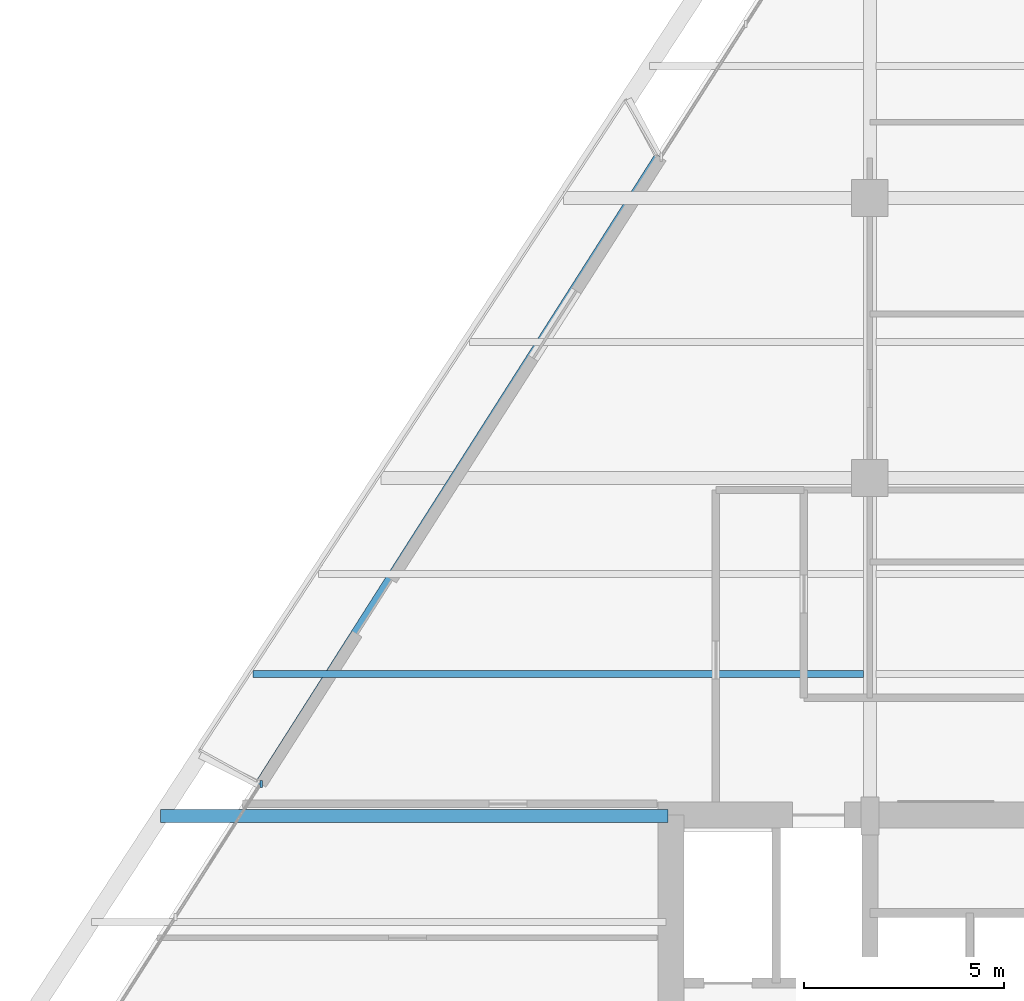
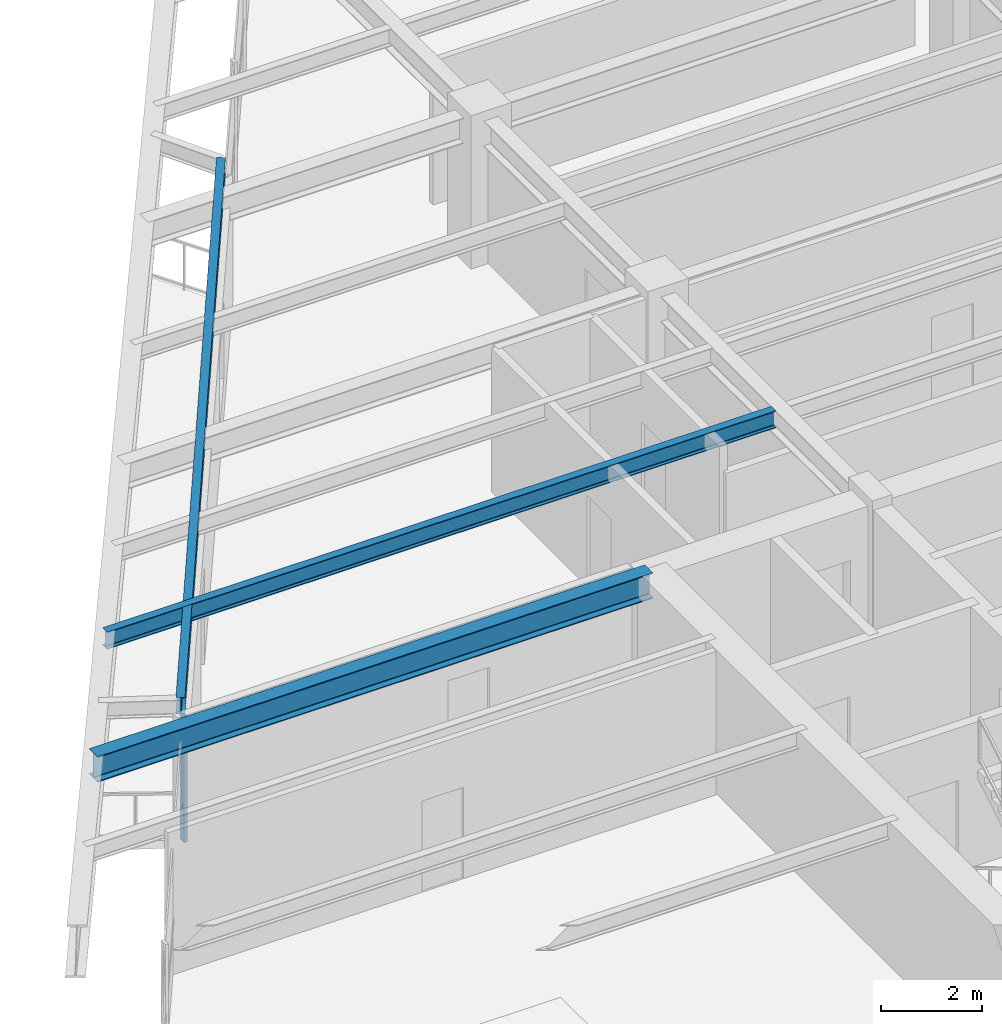
# One storey, part 4 of 15: 3 beams, 1 member, 1 element without a shape of its own.
"""IFC4 building model written with IfcOpenShell, lengths in metres."""

from ifc_helpers import new_model, si_unit, direction, frame, origin, origin_2d, place, context, subcontext, project, spatial, rectangle, i_section, extrude, source, transform, mapped, material, material_profile, profile_set, type_object, element, aggregate, save


model = new_model("IFC4")

# Units and contexts
model_context = context("Model", 3, precision=1e-05, world=origin(), true_north=direction((0.0, 1.0)))
body_context = subcontext(model_context, "Body", "Model", "MODEL_VIEW")
ifc_project = project(units=[si_unit("LENGTHUNIT", "METRE"), si_unit("AREAUNIT", "SQUARE_METRE"), si_unit("VOLUMEUNIT", "CUBIC_METRE"), si_unit("PLANEANGLEUNIT", "RADIAN"), si_unit("MASSUNIT", "GRAM", prefix="KILO")], contexts=[model_context])

# Site, building, storey
site_placement = place(None, origin())
site = spatial("IfcSite", under=ifc_project, at=site_placement, CompositionType="ELEMENT")
building_placement = place(site_placement, origin())
building = spatial("IfcBuilding", under=site, at=building_placement, Name="Varnakhor Terracotta Tower", CompositionType="ELEMENT")
storey_placement = place(building_placement, frame((0.0, 0.0, 158.89990234375)))
storey = spatial("IfcBuildingStorey", under=building, at=storey_placement, Name="L40", CompositionType="ELEMENT", Elevation=158.89990234375)

# Beams
ifc_material_1 = material(Name="Steel S355", Category="steel")
ifc_material_profile_1 = material_profile(ifc_material_1, i_section(OverallWidth=0.179931640625, OverallDepth=0.39990234375, WebThickness=0.008544921875, FlangeThickness=0.013427734375, FilletRadius=0.01806640625, at=origin_2d()), Name="IPE400")
ifc_profile_set_1 = profile_set([ifc_material_profile_1], Name="Steel S355")
beam_type_1 = type_object("IfcBeamType", Name="JST-IPE400", PredefinedType="JOIST", material=ifc_profile_set_1)
shared_shape_1 = source(origin(), body_context, "Body", "SweptSolid", [
    extrude(i_section(OverallWidth=0.179931640625, OverallDepth=0.39990234375, WebThickness=0.008544921875, FlangeThickness=0.013427734375, FilletRadius=0.01806640625, at=origin_2d()), origin(), (0.0, 0.0, 1.0), 18.6318359375),
])
beam_1_placement = place(storey_placement, frame((-10.7880859375, 32.559814453125, 3.27001953125), z_axis=(-0.536817836222, -0.843698175128, 0.0), x_axis=(0.843698175128, -0.536817836222, 0.0)))
element("IfcBeam", 1, at=beam_1_placement, inside=storey, type_object=beam_type_1, Name="L40 Loggia Edge Beam 2", PredefinedType="JOIST", context=body_context, shape_type="MappedRepresentation", body=[
    mapped(shared_shape_1, transform((0.0, 0.0, 0.0), scale=1.0)),
])
ifc_material_profile_2 = material_profile(ifc_material_1, i_section(OverallWidth=0.324951171875, OverallDepth=0.615966796875, WebThickness=0.013916015625, FlangeThickness=0.02197265625, FilletRadius=0.01806640625, at=origin_2d()), Name="W24X117")
ifc_profile_set_2 = profile_set([ifc_material_profile_2], Name="Steel S355")
beam_type_2 = type_object("IfcBeamType", Name="BM-W24X117", PredefinedType="BEAM", material=ifc_profile_set_2)
shared_shape_2 = source(origin(), body_context, "Body", "SweptSolid", [
    extrude(i_section(OverallWidth=0.324951171875, OverallDepth=0.615966796875, WebThickness=0.013916015625, FlangeThickness=0.02197265625, FilletRadius=0.01806640625, at=origin_2d()), origin(), (0.0, 0.0, 1.0), 12.684326171875),
])
beam_2_placement = place(storey_placement, frame((-23.234375, 16.050048828125, 3.162109375), z_axis=(1.0, 0.0, 0.0), x_axis=(0.0, 1.0, 0.0)))
element("IfcBeam", 2, at=beam_2_placement, inside=storey, type_object=beam_type_2, Name="L40 Wing Girder W", PredefinedType="BEAM", context=body_context, shape_type="MappedRepresentation", body=[
    mapped(shared_shape_2, transform((0.0, 0.0, 0.0), scale=1.0)),
])
ifc_material_profile_3 = material_profile(ifc_material_1, i_section(OverallWidth=0.179931640625, OverallDepth=0.4130859375, WebThickness=0.009765625, FlangeThickness=0.01611328125, FilletRadius=0.01806640625, at=origin_2d()), Name="W16X50")
ifc_profile_set_3 = profile_set([ifc_material_profile_3], Name="Steel S355")
beam_type_3 = type_object("IfcBeamType", Name="JST-W16X50", PredefinedType="JOIST", material=ifc_profile_set_3)
shared_shape_3 = source(origin(), body_context, "Body", "SweptSolid", [
    extrude(i_section(OverallWidth=0.179931640625, OverallDepth=0.4130859375, WebThickness=0.009765625, FlangeThickness=0.01611328125, FilletRadius=0.01806640625, at=origin_2d()), origin(), (0.0, 0.0, 1.0), 15.260009765625),
])
beam_3_placement = place(storey_placement, frame((-20.91845703125, 19.60009765625, 3.263671875), z_axis=(1.0, 0.0, 0.0), x_axis=(0.0, 1.0, 0.0)))
element("IfcBeam", 3, at=beam_3_placement, inside=storey, type_object=beam_type_3, Name="L40 Composite Floor Joist 4-1", PredefinedType="JOIST", context=body_context, shape_type="MappedRepresentation", body=[
    mapped(shared_shape_3, transform((0.0, 0.0, 0.0), scale=1.0)),
])

# Curtain wall, member
ifc_material_2 = material(Name="Anodised Aluminium Curtain Wall System", Category="aluminium")
curtain_wall_type = type_object("IfcCurtainWallType", Name="CW-SYS-MID-OFFICE", PredefinedType="NOTDEFINED", material=ifc_material_2)
curtain_wall_placement = place(storey_placement, origin())
curtain_wall = element("IfcCurtainWall", 4, at=curtain_wall_placement, inside=storey, type_object=curtain_wall_type, Name="L40 W Facet Curtain Wall 1", PredefinedType="NOTDEFINED")
ifc_material_3 = material(Name="Anodised Aluminium 6063-T6", Category="aluminium")
ifc_material_profile_4 = material_profile(ifc_material_3, rectangle(XDim=0.070068359375, YDim=0.175048828125, at=origin_2d()), Name="ALU MULLION 70x175")
ifc_profile_set_4 = profile_set([ifc_material_profile_4], Name="Anodised Aluminium 6063-T6")
member_type = type_object("IfcMemberType", Name="CWM-03", PredefinedType="MULLION", material=ifc_profile_set_4)
shared_shape_4 = source(origin(), body_context, "Body", "SweptSolid", [
    extrude(rectangle(XDim=0.070068359375, YDim=0.175048828125, at=origin_2d()), origin(), (0.0, 0.0, 1.0), 3.050048828125),
])
member_placement = place(storey_placement, frame((-20.7177734375, 16.841796875, 0.0), z_axis=(0.0, 0.0, 1.0), x_axis=(1.0, 0.0, 0.0)))
member = element("IfcMember", 5, at=member_placement, type_object=member_type, Name="L40 W Loggia Jamb Closure Mullion 1", PredefinedType="MULLION", context=body_context, shape_type="MappedRepresentation", body=[
    mapped(shared_shape_4, transform((0.0, 0.0, 0.0), scale=1.0)),
])
aggregate(curtain_wall, [member])

save(model, "model.ifc")
